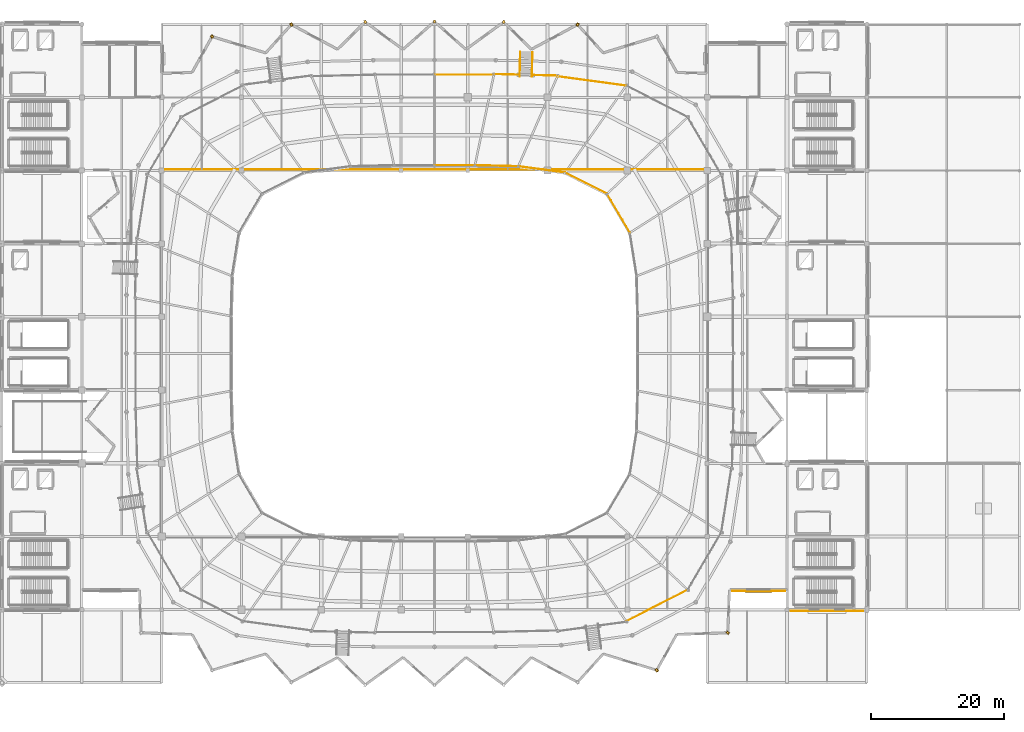
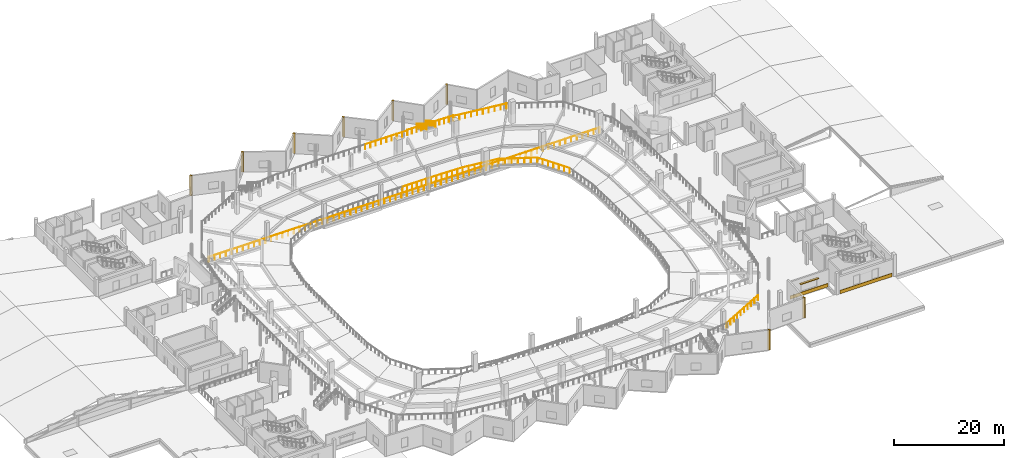
# One storey, part 72 of 77: 15 railings, 11 coverings.
"""IFC4 building model written with IfcOpenShell, lengths in metres."""

from ifc_helpers import new_model, si_unit, direction, frame, origin, origin_2d, place, context, subcontext, project, spatial, rectangle, circle, extrude, material, layer, layer_set, type_object, element, save


model = new_model("IFC4")

# Units and contexts
model_context = context("Model", 3, precision=1e-05, world=origin(), true_north=direction((0.0, 1.0)))
body_context = subcontext(model_context, "Body", "Model", "MODEL_VIEW")
ifc_project = project(units=[si_unit("LENGTHUNIT", "METRE"), si_unit("AREAUNIT", "SQUARE_METRE"), si_unit("VOLUMEUNIT", "CUBIC_METRE"), si_unit("PLANEANGLEUNIT", "RADIAN"), si_unit("MASSUNIT", "GRAM", prefix="KILO")], contexts=[model_context])

# Site, building, storey
site_placement = place(None, origin())
site = spatial("IfcSite", under=ifc_project, at=site_placement, CompositionType="ELEMENT")
building_placement = place(site_placement, origin())
building = spatial("IfcBuilding", under=site, at=building_placement, Name="Luwafu Chhajja Arena", CompositionType="ELEMENT")
storey_placement = place(building_placement, frame((0.0, 0.0, 14.699951171875)))
storey = spatial("IfcBuildingStorey", under=building, at=storey_placement, Name="L03", CompositionType="ELEMENT", Elevation=14.699951171875)

# Railings
ifc_material_1 = material(Name="Stainless steel balustrade", Category="steel")
railing_type_1 = type_object("IfcRailingType", Name="Atrium Void Glazed Balustrade 1150", PredefinedType="BALUSTRADE", material=ifc_material_1)
railing_1_placement = place(storey_placement, frame((111.9033203125, 94.823974609375, 0.0)))
element("IfcRailing", 1, at=railing_1_placement, inside=storey, type_object=railing_type_1, Name="L03 Vomitory VM-10 Guard L", PredefinedType="BALUSTRADE", context=body_context, shape_type="SweptSolid", body=[
    extrude(circle(Radius=0.02392578125, at=origin_2d()), frame((0.0, 0.0, 1.1259765625), z_axis=(-0.020826513934, -0.860318788812, 0.50933077458), x_axis=(0.999707117433, -0.024200813096, 0.0)), (0.0, 0.0, 1.0), 3.985595703125),
    extrude(circle(Radius=0.02392578125, at=origin_2d()), frame((-0.0830078125, -3.428955078125, 3.15576171875), z_axis=(-0.024406789793, -0.999702109937, 0.0), x_axis=(0.999702109937, -0.024406789793, 0.0)), (0.0, 0.0, 1.0), 0.25),
    extrude(circle(Radius=0.02099609375, at=origin_2d()), origin(), (0.0, 0.0, 1.0), 1.101806640625),
    extrude(circle(Radius=0.02099609375, at=origin_2d()), frame((-0.020751953125, -0.857177734375, 0.507568359375)), (0.0, 0.0, 1.0), 1.101806640625),
    extrude(circle(Radius=0.02099609375, at=origin_2d()), frame((-0.04150390625, -1.71435546875, 1.01513671875)), (0.0, 0.0, 1.0), 1.101806640625),
    extrude(circle(Radius=0.02099609375, at=origin_2d()), frame((-0.062255859375, -2.57177734375, 1.5224609375)), (0.0, 0.0, 1.0), 1.101806640625),
    extrude(circle(Radius=0.02099609375, at=origin_2d()), frame((-0.0830078125, -3.428955078125, 2.030029296875)), (0.0, 0.0, 1.0), 1.101806640625),
    extrude(circle(Radius=0.02099609375, at=origin_2d()), frame((-0.089111328125, -3.678955078125, 2.030029296875)), (0.0, 0.0, 1.0), 1.101806640625),
])
railing_2_placement = place(storey_placement, frame((113.74267578125, 94.779541015625, 0.0)))
element("IfcRailing", 2, at=railing_2_placement, inside=storey, type_object=railing_type_1, Name="L03 Vomitory VM-10 Guard R", PredefinedType="BALUSTRADE", context=body_context, shape_type="SweptSolid", body=[
    extrude(circle(Radius=0.02392578125, at=origin_2d()), frame((0.0, 0.0, 1.1259765625), z_axis=(-0.020765285932, -0.860319884723, 0.509331423387), x_axis=(0.999708836986, -0.024129675738, 0.0)), (0.0, 0.0, 1.0), 3.985595703125),
    extrude(circle(Radius=0.02392578125, at=origin_2d()), frame((-0.082763671875, -3.428955078125, 3.15576171875), z_axis=(-0.024406789793, -0.999702109937, 0.0), x_axis=(0.999702109937, -0.024406789793, 0.0)), (0.0, 0.0, 1.0), 0.25),
    extrude(circle(Radius=0.02099609375, at=origin_2d()), origin(), (0.0, 0.0, 1.0), 1.101806640625),
    extrude(circle(Radius=0.02099609375, at=origin_2d()), frame((-0.020751953125, -0.857177734375, 0.507568359375)), (0.0, 0.0, 1.0), 1.101806640625),
    extrude(circle(Radius=0.02099609375, at=origin_2d()), frame((-0.04150390625, -1.71435546875, 1.01513671875)), (0.0, 0.0, 1.0), 1.101806640625),
    extrude(circle(Radius=0.02099609375, at=origin_2d()), frame((-0.06201171875, -2.57177734375, 1.5224609375)), (0.0, 0.0, 1.0), 1.101806640625),
    extrude(circle(Radius=0.02099609375, at=origin_2d()), frame((-0.082763671875, -3.428955078125, 2.030029296875)), (0.0, 0.0, 1.0), 1.101806640625),
    extrude(circle(Radius=0.02099609375, at=origin_2d()), frame((-0.0888671875, -3.678955078125, 2.030029296875)), (0.0, 0.0, 1.0), 1.101806640625),
])
for number, where, name in (
    (3, (107.948486328125, 91.48876953125, 2.030029296875), "L03 Vomitory VM-10 Wing Guard L"),
    (4, (113.659912109375, 91.3505859375, 2.030029296875), "L03 Vomitory VM-10 Wing Guard R"),
):
    element("IfcRailing", number, at=place(storey_placement, frame(where)), inside=storey, type_object=railing_type_1, Name=name, PredefinedType="BALUSTRADE", context=body_context, shape_type="SweptSolid", body=[
        extrude(circle(Radius=0.02392578125, at=origin_2d()), frame((0.0, 0.0, 1.1259765625), z_axis=(0.999706984942, -0.02420628553, 0.0), x_axis=(0.02420628553, 0.999706984942, 0.0)), (0.0, 0.0, 1.0), 3.873046875),
        extrude(circle(Radius=0.02099609375, at=origin_2d()), origin(), (0.0, 0.0, 1.0), 1.101806640625),
        extrude(circle(Radius=0.02099609375, at=origin_2d()), frame((0.968017578125, -0.0234375, 0.0)), (0.0, 0.0, 1.0), 1.101806640625),
        extrude(circle(Radius=0.02099609375, at=origin_2d()), frame((1.93603515625, -0.046875, 0.0)), (0.0, 0.0, 1.0), 1.101806640625),
        extrude(circle(Radius=0.02099609375, at=origin_2d()), frame((2.90380859375, -0.0703125, 0.0)), (0.0, 0.0, 1.0), 1.101806640625),
        extrude(circle(Radius=0.02099609375, at=origin_2d()), frame((3.871826171875, -0.09375, 0.0)), (0.0, 0.0, 1.0), 1.101806640625),
    ])

# Coverings
ifc_material_2 = material(Name="Red laterite sandstone cladding", Category="masonry")
ifc_layer = layer(ifc_material_2, 0.074951171875, Name="Red laterite sandstone cladding")
ifc_layer_set = layer_set([ifc_layer], Name="Red laterite sandstone cladding")
covering_type = type_object("IfcCoveringType", Name="Dressed Red-Laterite Sandstone Cladding", PredefinedType="CLADDING", material=ifc_layer_set)
for number, where, z_axis, x_axis, name in (
    (5, (120.510986328125, 98.948974609375, 0.0), (0.0, 0.0, 1.0), (0.398902881432, 0.916993179465, 0.0), "L03 Pleated Bowl Sandstone Ridge Fin 07"),
    (6, (109.412109375, 99.3427734375, 0.0), (0.0, 0.0, 1.0), (0.20448508974, 0.9788696788, 0.0), "L03 Pleated Bowl Sandstone Ridge Fin 08"),
    (7, (99.0, 99.39990234375, 0.0), (0.0, 0.0, 1.0), (0.0, 1.0, 0.0), "L03 Pleated Bowl Sandstone Ridge Fin 09"),
    (8, (88.587890625, 99.3427734375, 0.0), (0.0, 0.0, 1.0), (-0.20448508974, 0.9788696788, 0.0), "L03 Pleated Bowl Sandstone Ridge Fin 10"),
    (9, (77.489013671875, 98.948974609375, 0.0), (0.0, 0.0, 1.0), (-0.398902881432, 0.916993179465, 0.0), "L03 Pleated Bowl Sandstone Ridge Fin 11"),
    (10, (65.572509765625, 97.135986328125, 0.0), (0.0, 0.0, 1.0), (-0.574411104334, 0.818566969293, 0.0), "L03 Pleated Bowl Sandstone Ridge Fin 12"),
    (11, (132.427490234375, 1.864013671875, 0.0), (0.0, 0.0, 1.0), (0.574411104334, -0.818566969293, 0.0), "L03 Pleated Bowl Sandstone Ridge Fin 28"),
    (12, (143.08349609375, 7.52392578125, 0.0), (0.0, 0.0, 1.0), (0.724206686844, -0.689582971607, 0.0), "L03 Pleated Bowl Sandstone Ridge Fin 29"),
):
    element("IfcCovering", number, at=place(storey_placement, frame(where, z_axis=z_axis, x_axis=x_axis)), inside=storey, type_object=covering_type, Name=name, PredefinedType="CLADDING", context=body_context, shape_type="SweptSolid", body=[
        extrude(rectangle(XDim=0.4599609375, YDim=0.360107421875, at=origin_2d()), origin(), (0.0, 0.0, 1.0), 4.455078125),
    ])
covering_1_placement = place(storey_placement, frame((147.712890625, 13.80810546875, 0.0), z_axis=(0.0, 0.0, 1.0), x_axis=(1.0, 0.0, 0.0)))
element("IfcCovering", 13, at=covering_1_placement, inside=storey, type_object=covering_type, Name="L03 Red-Laterite Sandstone Plinth Cladding 089", PredefinedType="CLADDING", context=body_context, shape_type="SweptSolid", body=[
    extrude(rectangle(XDim=7.97412109375, YDim=0.0849609375, at=origin_2d()), origin(), (0.0, 0.0, 1.0), 0.760009765625),
])
covering_2_placement = place(storey_placement, frame((147.712890625, 13.679931640625, 2.68017578125), z_axis=(0.0, 0.0, 1.0), x_axis=(1.0, 0.0, 0.0)))
element("IfcCovering", 14, at=covering_2_placement, inside=storey, type_object=covering_type, Name="L03 Mughal Sandstone Window Chhajja Hood 0083", PredefinedType="CLADDING", context=body_context, shape_type="SweptSolid", body=[
    extrude(rectangle(XDim=3.89990234375, YDim=0.419921875, at=origin_2d()), origin(), (0.0, 0.0, 1.0), 0.139892578125),
])
covering_3_placement = place(storey_placement, frame((158.0, 10.76806640625, 0.0), z_axis=(0.0, 0.0, 1.0), x_axis=(1.0, 0.0, 0.0)))
element("IfcCovering", 15, at=covering_3_placement, inside=storey, type_object=covering_type, Name="L03 Red-Laterite Sandstone Plinth Cladding 092", PredefinedType="CLADDING", context=body_context, shape_type="SweptSolid", body=[
    extrude(rectangle(XDim=10.9599609375, YDim=0.0849609375, at=origin_2d()), origin(), (0.0, 0.0, 1.0), 0.760009765625),
])

# Railings
railing_type_2 = type_object("IfcRailingType", Name="Seating Bowl Sightline Barrier 1100", PredefinedType="BALUSTRADE", material=ifc_material_1)
railing_3_placement = place(storey_placement, frame((140.14990234375, 77.14990234375, 0.0)))
element("IfcRailing", 16, at=railing_3_placement, inside=storey, type_object=railing_type_2, Name="L03 Bowl Rim Guard 0038", PredefinedType="BALUSTRADE", context=body_context, shape_type="SweptSolid", body=[
    extrude(circle(Radius=0.02392578125, at=origin_2d()), frame((0.0, 0.0, 1.09619140625), z_axis=(-1.0, 0.0, 0.0), x_axis=(0.0, -1.0, 0.0)), (0.0, 0.0, 1.0), 82.2998046875),
    extrude(circle(Radius=0.02099609375, at=origin_2d()), origin(), (0.0, 0.0, 1.0), 1.072021484375),
    extrude(circle(Radius=0.02099609375, at=origin_2d()), frame((-1.19287109375, 0.0, 0.0)), (0.0, 0.0, 1.0), 1.072021484375),
    extrude(circle(Radius=0.02099609375, at=origin_2d()), frame((-2.385498046875, 0.0, 0.0)), (0.0, 0.0, 1.0), 1.072021484375),
    extrude(circle(Radius=0.02099609375, at=origin_2d()), frame((-3.578369140625, 0.0, 0.0)), (0.0, 0.0, 1.0), 1.072021484375),
    extrude(circle(Radius=0.02099609375, at=origin_2d()), frame((-4.77099609375, 0.0, 0.0)), (0.0, 0.0, 1.0), 1.072021484375),
    extrude(circle(Radius=0.02099609375, at=origin_2d()), frame((-5.9638671875, 0.0, 0.0)), (0.0, 0.0, 1.0), 1.072021484375),
    extrude(circle(Radius=0.02099609375, at=origin_2d()), frame((-7.156494140625, 0.0, 0.0)), (0.0, 0.0, 1.0), 1.072021484375),
    extrude(circle(Radius=0.02099609375, at=origin_2d()), frame((-8.349365234375, 0.0, 0.0)), (0.0, 0.0, 1.0), 1.072021484375),
    extrude(circle(Radius=0.02099609375, at=origin_2d()), frame((-9.5419921875, 0.0, 0.0)), (0.0, 0.0, 1.0), 1.072021484375),
    extrude(circle(Radius=0.02099609375, at=origin_2d()), frame((-10.73486328125, 0.0, 0.0)), (0.0, 0.0, 1.0), 1.072021484375),
    extrude(circle(Radius=0.02099609375, at=origin_2d()), frame((-11.927490234375, 0.0, 0.0)), (0.0, 0.0, 1.0), 1.072021484375),
    extrude(circle(Radius=0.02099609375, at=origin_2d()), frame((-13.120361328125, 0.0, 0.0)), (0.0, 0.0, 1.0), 1.072021484375),
    extrude(circle(Radius=0.02099609375, at=origin_2d()), frame((-14.31298828125, 0.0, 0.0)), (0.0, 0.0, 1.0), 1.072021484375),
    extrude(circle(Radius=0.02099609375, at=origin_2d()), frame((-15.505859375, 0.0, 0.0)), (0.0, 0.0, 1.0), 1.072021484375),
    extrude(circle(Radius=0.02099609375, at=origin_2d()), frame((-16.698486328125, 0.0, 0.0)), (0.0, 0.0, 1.0), 1.072021484375),
    extrude(circle(Radius=0.02099609375, at=origin_2d()), frame((-17.891357421875, 0.0, 0.0)), (0.0, 0.0, 1.0), 1.072021484375),
    extrude(circle(Radius=0.02099609375, at=origin_2d()), frame((-19.083984375, 0.0, 0.0)), (0.0, 0.0, 1.0), 1.072021484375),
    extrude(circle(Radius=0.02099609375, at=origin_2d()), frame((-20.27685546875, 0.0, 0.0)), (0.0, 0.0, 1.0), 1.072021484375),
    extrude(circle(Radius=0.02099609375, at=origin_2d()), frame((-21.469482421875, 0.0, 0.0)), (0.0, 0.0, 1.0), 1.072021484375),
    extrude(circle(Radius=0.02099609375, at=origin_2d()), frame((-22.662353515625, 0.0, 0.0)), (0.0, 0.0, 1.0), 1.072021484375),
    extrude(circle(Radius=0.02099609375, at=origin_2d()), frame((-23.85498046875, 0.0, 0.0)), (0.0, 0.0, 1.0), 1.072021484375),
    extrude(circle(Radius=0.02099609375, at=origin_2d()), frame((-25.0478515625, 0.0, 0.0)), (0.0, 0.0, 1.0), 1.072021484375),
    extrude(circle(Radius=0.02099609375, at=origin_2d()), frame((-26.240478515625, 0.0, 0.0)), (0.0, 0.0, 1.0), 1.072021484375),
    extrude(circle(Radius=0.02099609375, at=origin_2d()), frame((-27.433349609375, 0.0, 0.0)), (0.0, 0.0, 1.0), 1.072021484375),
    extrude(circle(Radius=0.02099609375, at=origin_2d()), frame((-28.6259765625, 0.0, 0.0)), (0.0, 0.0, 1.0), 1.072021484375),
    extrude(circle(Radius=0.02099609375, at=origin_2d()), frame((-29.81884765625, 0.0, 0.0)), (0.0, 0.0, 1.0), 1.072021484375),
    extrude(circle(Radius=0.02099609375, at=origin_2d()), frame((-31.011474609375, 0.0, 0.0)), (0.0, 0.0, 1.0), 1.072021484375),
    extrude(circle(Radius=0.02099609375, at=origin_2d()), frame((-32.204345703125, 0.0, 0.0)), (0.0, 0.0, 1.0), 1.072021484375),
    extrude(circle(Radius=0.02099609375, at=origin_2d()), frame((-33.39697265625, 0.0, 0.0)), (0.0, 0.0, 1.0), 1.072021484375),
    extrude(circle(Radius=0.02099609375, at=origin_2d()), frame((-34.58984375, 0.0, 0.0)), (0.0, 0.0, 1.0), 1.072021484375),
    extrude(circle(Radius=0.02099609375, at=origin_2d()), frame((-35.782470703125, 0.0, 0.0)), (0.0, 0.0, 1.0), 1.072021484375),
    extrude(circle(Radius=0.02099609375, at=origin_2d()), frame((-36.975341796875, 0.0, 0.0)), (0.0, 0.0, 1.0), 1.072021484375),
    extrude(circle(Radius=0.02099609375, at=origin_2d()), frame((-38.16796875, 0.0, 0.0)), (0.0, 0.0, 1.0), 1.072021484375),
    extrude(circle(Radius=0.02099609375, at=origin_2d()), frame((-39.36083984375, 0.0, 0.0)), (0.0, 0.0, 1.0), 1.072021484375),
    extrude(circle(Radius=0.02099609375, at=origin_2d()), frame((-40.553466796875, 0.0, 0.0)), (0.0, 0.0, 1.0), 1.072021484375),
    extrude(circle(Radius=0.02099609375, at=origin_2d()), frame((-41.746337890625, 0.0, 0.0)), (0.0, 0.0, 1.0), 1.072021484375),
    extrude(circle(Radius=0.02099609375, at=origin_2d()), frame((-42.93896484375, 0.0, 0.0)), (0.0, 0.0, 1.0), 1.072021484375),
    extrude(circle(Radius=0.02099609375, at=origin_2d()), frame((-44.1318359375, 0.0, 0.0)), (0.0, 0.0, 1.0), 1.072021484375),
    extrude(circle(Radius=0.02099609375, at=origin_2d()), frame((-45.324462890625, 0.0, 0.0)), (0.0, 0.0, 1.0), 1.072021484375),
    extrude(circle(Radius=0.02099609375, at=origin_2d()), frame((-46.517333984375, 0.0, 0.0)), (0.0, 0.0, 1.0), 1.072021484375),
    extrude(circle(Radius=0.02099609375, at=origin_2d()), frame((-47.7099609375, 0.0, 0.0)), (0.0, 0.0, 1.0), 1.072021484375),
    extrude(circle(Radius=0.02099609375, at=origin_2d()), frame((-48.90283203125, 0.0, 0.0)), (0.0, 0.0, 1.0), 1.072021484375),
    extrude(circle(Radius=0.02099609375, at=origin_2d()), frame((-50.095458984375, 0.0, 0.0)), (0.0, 0.0, 1.0), 1.072021484375),
    extrude(circle(Radius=0.02099609375, at=origin_2d()), frame((-51.288330078125, 0.0, 0.0)), (0.0, 0.0, 1.0), 1.072021484375),
    extrude(circle(Radius=0.02099609375, at=origin_2d()), frame((-52.48095703125, 0.0, 0.0)), (0.0, 0.0, 1.0), 1.072021484375),
    extrude(circle(Radius=0.02099609375, at=origin_2d()), frame((-53.673828125, 0.0, 0.0)), (0.0, 0.0, 1.0), 1.072021484375),
    extrude(circle(Radius=0.02099609375, at=origin_2d()), frame((-54.866455078125, 0.0, 0.0)), (0.0, 0.0, 1.0), 1.072021484375),
    extrude(circle(Radius=0.02099609375, at=origin_2d()), frame((-56.059326171875, 0.0, 0.0)), (0.0, 0.0, 1.0), 1.072021484375),
    extrude(circle(Radius=0.02099609375, at=origin_2d()), frame((-57.251953125, 0.0, 0.0)), (0.0, 0.0, 1.0), 1.072021484375),
    extrude(circle(Radius=0.02099609375, at=origin_2d()), frame((-58.44482421875, 0.0, 0.0)), (0.0, 0.0, 1.0), 1.072021484375),
    extrude(circle(Radius=0.02099609375, at=origin_2d()), frame((-59.637451171875, 0.0, 0.0)), (0.0, 0.0, 1.0), 1.072021484375),
    extrude(circle(Radius=0.02099609375, at=origin_2d()), frame((-60.830322265625, 0.0, 0.0)), (0.0, 0.0, 1.0), 1.072021484375),
    extrude(circle(Radius=0.02099609375, at=origin_2d()), frame((-62.02294921875, 0.0, 0.0)), (0.0, 0.0, 1.0), 1.072021484375),
    extrude(circle(Radius=0.02099609375, at=origin_2d()), frame((-63.2158203125, 0.0, 0.0)), (0.0, 0.0, 1.0), 1.072021484375),
    extrude(circle(Radius=0.02099609375, at=origin_2d()), frame((-64.408447265625, 0.0, 0.0)), (0.0, 0.0, 1.0), 1.072021484375),
    extrude(circle(Radius=0.02099609375, at=origin_2d()), frame((-65.601318359375, 0.0, 0.0)), (0.0, 0.0, 1.0), 1.072021484375),
    extrude(circle(Radius=0.02099609375, at=origin_2d()), frame((-66.7939453125, 0.0, 0.0)), (0.0, 0.0, 1.0), 1.072021484375),
    extrude(circle(Radius=0.02099609375, at=origin_2d()), frame((-67.98681640625, 0.0, 0.0)), (0.0, 0.0, 1.0), 1.072021484375),
    extrude(circle(Radius=0.02099609375, at=origin_2d()), frame((-69.179443359375, 0.0, 0.0)), (0.0, 0.0, 1.0), 1.072021484375),
    extrude(circle(Radius=0.02099609375, at=origin_2d()), frame((-70.372314453125, 0.0, 0.0)), (0.0, 0.0, 1.0), 1.072021484375),
    extrude(circle(Radius=0.02099609375, at=origin_2d()), frame((-71.56494140625, 0.0, 0.0)), (0.0, 0.0, 1.0), 1.072021484375),
    extrude(circle(Radius=0.02099609375, at=origin_2d()), frame((-72.7578125, 0.0, 0.0)), (0.0, 0.0, 1.0), 1.072021484375),
    extrude(circle(Radius=0.02099609375, at=origin_2d()), frame((-73.950439453125, 0.0, 0.0)), (0.0, 0.0, 1.0), 1.072021484375),
    extrude(circle(Radius=0.02099609375, at=origin_2d()), frame((-75.143310546875, 0.0, 0.0)), (0.0, 0.0, 1.0), 1.072021484375),
    extrude(circle(Radius=0.02099609375, at=origin_2d()), frame((-76.3359375, 0.0, 0.0)), (0.0, 0.0, 1.0), 1.072021484375),
    extrude(circle(Radius=0.02099609375, at=origin_2d()), frame((-77.52880859375, 0.0, 0.0)), (0.0, 0.0, 1.0), 1.072021484375),
    extrude(circle(Radius=0.02099609375, at=origin_2d()), frame((-78.721435546875, 0.0, 0.0)), (0.0, 0.0, 1.0), 1.072021484375),
    extrude(circle(Radius=0.02099609375, at=origin_2d()), frame((-79.914306640625, 0.0, 0.0)), (0.0, 0.0, 1.0), 1.072021484375),
    extrude(circle(Radius=0.02099609375, at=origin_2d()), frame((-81.10693359375, 0.0, 0.0)), (0.0, 0.0, 1.0), 1.072021484375),
    extrude(circle(Radius=0.02099609375, at=origin_2d()), frame((-82.2998046875, 0.0, 0.0)), (0.0, 0.0, 1.0), 1.072021484375),
])
railing_4_placement = place(storey_placement, frame((128.39453125, 67.66455078125, 0.830078125)))
element("IfcRailing", 17, at=railing_4_placement, inside=storey, type_object=railing_type_2, Name="L03 Upper Tier Front Barrier 0059", PredefinedType="BALUSTRADE", context=body_context, shape_type="SweptSolid", body=[
    extrude(circle(Radius=0.02392578125, at=origin_2d()), frame((0.0, 0.0, 1.09619140625), z_axis=(-0.509265878508, 0.860609240589, 0.0), x_axis=(-0.860609240589, -0.509265878508, 0.0)), (0.0, 0.0, 1.0), 6.7744140625),
    extrude(circle(Radius=0.02099609375, at=origin_2d()), origin(), (0.0, 0.0, 1.0), 1.072021484375),
    extrude(circle(Radius=0.02099609375, at=origin_2d()), frame((-0.574951171875, 0.9716796875, 0.0)), (0.0, 0.0, 1.0), 1.072021484375),
    extrude(circle(Radius=0.02099609375, at=origin_2d()), frame((-1.14990234375, 1.943359375, 0.0)), (0.0, 0.0, 1.0), 1.072021484375),
    extrude(circle(Radius=0.02099609375, at=origin_2d()), frame((-1.72509765625, 2.9150390625, 0.0)), (0.0, 0.0, 1.0), 1.072021484375),
    extrude(circle(Radius=0.02099609375, at=origin_2d()), frame((-2.300048828125, 3.88671875, 0.0)), (0.0, 0.0, 1.0), 1.072021484375),
    extrude(circle(Radius=0.02099609375, at=origin_2d()), frame((-2.875, 4.8583984375, 0.0)), (0.0, 0.0, 1.0), 1.072021484375),
    extrude(circle(Radius=0.02099609375, at=origin_2d()), frame((-3.449951171875, 5.830078125, 0.0)), (0.0, 0.0, 1.0), 1.072021484375),
])
railing_5_placement = place(storey_placement, frame((124.944580078125, 73.49462890625, 0.830078125)))
element("IfcRailing", 18, at=railing_5_placement, inside=storey, type_object=railing_type_2, Name="L03 Upper Tier Front Barrier 0063", PredefinedType="BALUSTRADE", context=body_context, shape_type="SweptSolid", body=[
    extrude(circle(Radius=0.02392578125, at=origin_2d()), frame((0.0, 0.0, 1.09619140625), z_axis=(-0.892232594826, 0.451576125066, 0.0), x_axis=(-0.451576125066, -0.892232594826, 0.0)), (0.0, 0.0, 1.0), 7.065185546875),
    extrude(circle(Radius=0.02099609375, at=origin_2d()), origin(), (0.0, 0.0, 1.0), 1.072021484375),
    extrude(circle(Radius=0.02099609375, at=origin_2d()), frame((-1.050537109375, 0.53173828125, 0.0)), (0.0, 0.0, 1.0), 1.072021484375),
    extrude(circle(Radius=0.02099609375, at=origin_2d()), frame((-2.101318359375, 1.0634765625, 0.0)), (0.0, 0.0, 1.0), 1.072021484375),
    extrude(circle(Radius=0.02099609375, at=origin_2d()), frame((-3.15185546875, 1.59521484375, 0.0)), (0.0, 0.0, 1.0), 1.072021484375),
    extrude(circle(Radius=0.02099609375, at=origin_2d()), frame((-4.202392578125, 2.126953125, 0.0)), (0.0, 0.0, 1.0), 1.072021484375),
    extrude(circle(Radius=0.02099609375, at=origin_2d()), frame((-5.253173828125, 2.65869140625, 0.0)), (0.0, 0.0, 1.0), 1.072021484375),
    extrude(circle(Radius=0.02099609375, at=origin_2d()), frame((-6.3037109375, 3.1904296875, 0.0)), (0.0, 0.0, 1.0), 1.072021484375),
])
railing_6_placement = place(storey_placement, frame((118.640869140625, 76.68505859375, 0.830078125)))
element("IfcRailing", 19, at=railing_6_placement, inside=storey, type_object=railing_type_2, Name="L03 Upper Tier Front Barrier 0067", PredefinedType="BALUSTRADE", context=body_context, shape_type="SweptSolid", body=[
    extrude(circle(Radius=0.02392578125, at=origin_2d()), frame((0.0, 0.0, 1.09619140625), z_axis=(-0.990994032964, 0.13390603657, 0.0), x_axis=(-0.13390603657, -0.990994032964, 0.0)), (0.0, 0.0, 1.0), 7.103271484375),
    extrude(circle(Radius=0.02099609375, at=origin_2d()), origin(), (0.0, 0.0, 1.0), 1.072021484375),
    extrude(circle(Radius=0.02099609375, at=origin_2d()), frame((-1.17333984375, 0.158447265625, 0.0)), (0.0, 0.0, 1.0), 1.072021484375),
    extrude(circle(Radius=0.02099609375, at=origin_2d()), frame((-2.346435546875, 0.317138671875, 0.0)), (0.0, 0.0, 1.0), 1.072021484375),
    extrude(circle(Radius=0.02099609375, at=origin_2d()), frame((-3.51953125, 0.4755859375, 0.0)), (0.0, 0.0, 1.0), 1.072021484375),
    extrude(circle(Radius=0.02099609375, at=origin_2d()), frame((-4.69287109375, 0.634033203125, 0.0)), (0.0, 0.0, 1.0), 1.072021484375),
    extrude(circle(Radius=0.02099609375, at=origin_2d()), frame((-5.8662109375, 0.792724609375, 0.0)), (0.0, 0.0, 1.0), 1.072021484375),
    extrude(circle(Radius=0.02099609375, at=origin_2d()), frame((-7.039306640625, 0.951171875, 0.0)), (0.0, 0.0, 1.0), 1.072021484375),
])
railing_7_placement = place(storey_placement, frame((127.8193359375, 89.74951171875, 2.030029296875)))
element("IfcRailing", 20, at=railing_7_placement, inside=storey, type_object=railing_type_2, Name="L03 Upper Tier Rear Barrier 0069", PredefinedType="BALUSTRADE", context=body_context, shape_type="SweptSolid", body=[
    extrude(circle(Radius=0.02392578125, at=origin_2d()), frame((0.0, 0.0, 1.09619140625), z_axis=(-0.990836865089, 0.135064083981, 0.0), x_axis=(-0.135064083981, -0.990836865089, 0.0)), (0.0, 0.0, 1.0), 10.42431640625),
    extrude(circle(Radius=0.02099609375, at=origin_2d()), origin(), (0.0, 0.0, 1.0), 1.072021484375),
    extrude(circle(Radius=0.02099609375, at=origin_2d()), frame((-1.147705078125, 0.156494140625, 0.0)), (0.0, 0.0, 1.0), 1.072021484375),
    extrude(circle(Radius=0.02099609375, at=origin_2d()), frame((-2.29541015625, 0.31298828125, 0.0)), (0.0, 0.0, 1.0), 1.072021484375),
    extrude(circle(Radius=0.02099609375, at=origin_2d()), frame((-3.44287109375, 0.46923828125, 0.0)), (0.0, 0.0, 1.0), 1.072021484375),
    extrude(circle(Radius=0.02099609375, at=origin_2d()), frame((-4.590576171875, 0.625732421875, 0.0)), (0.0, 0.0, 1.0), 1.072021484375),
    extrude(circle(Radius=0.02099609375, at=origin_2d()), frame((-5.73828125, 0.7822265625, 0.0)), (0.0, 0.0, 1.0), 1.072021484375),
    extrude(circle(Radius=0.02099609375, at=origin_2d()), frame((-6.885986328125, 0.938720703125, 0.0)), (0.0, 0.0, 1.0), 1.072021484375),
    extrude(circle(Radius=0.02099609375, at=origin_2d()), frame((-8.033447265625, 1.094970703125, 0.0)), (0.0, 0.0, 1.0), 1.072021484375),
    extrude(circle(Radius=0.02099609375, at=origin_2d()), frame((-9.18115234375, 1.25146484375, 0.0)), (0.0, 0.0, 1.0), 1.072021484375),
    extrude(circle(Radius=0.02099609375, at=origin_2d()), frame((-10.328857421875, 1.407958984375, 0.0)), (0.0, 0.0, 1.0), 1.072021484375),
])
railing_8_placement = place(storey_placement, frame((111.6015625, 77.63623046875, 0.830078125)))
element("IfcRailing", 21, at=railing_8_placement, inside=storey, type_object=railing_type_2, Name="L03 Upper Tier Front Barrier 0071", PredefinedType="BALUSTRADE", context=body_context, shape_type="SweptSolid", body=[
    extrude(circle(Radius=0.02392578125, at=origin_2d()), frame((0.0, 0.0, 1.09619140625), z_axis=(-0.999712648785, 0.023971229824, 0.0), x_axis=(-0.023971229824, -0.999712648785, 0.0)), (0.0, 0.0, 1.0), 6.518310546875),
    extrude(circle(Radius=0.02099609375, at=origin_2d()), origin(), (0.0, 0.0, 1.0), 1.072021484375),
    extrude(circle(Radius=0.02099609375, at=origin_2d()), frame((-1.0859375, 0.026123046875, 0.0)), (0.0, 0.0, 1.0), 1.072021484375),
    extrude(circle(Radius=0.02099609375, at=origin_2d()), frame((-2.172119140625, 0.052001953125, 0.0)), (0.0, 0.0, 1.0), 1.072021484375),
    extrude(circle(Radius=0.02099609375, at=origin_2d()), frame((-3.25830078125, 0.078125, 0.0)), (0.0, 0.0, 1.0), 1.072021484375),
    extrude(circle(Radius=0.02099609375, at=origin_2d()), frame((-4.34423828125, 0.104248046875, 0.0)), (0.0, 0.0, 1.0), 1.072021484375),
    extrude(circle(Radius=0.02099609375, at=origin_2d()), frame((-5.43017578125, 0.130126953125, 0.0)), (0.0, 0.0, 1.0), 1.072021484375),
    extrude(circle(Radius=0.02099609375, at=origin_2d()), frame((-6.516357421875, 0.15625, 0.0)), (0.0, 0.0, 1.0), 1.072021484375),
])
railing_9_placement = place(storey_placement, frame((105.085205078125, 77.79248046875, 0.830078125)))
element("IfcRailing", 22, at=railing_9_placement, inside=storey, type_object=railing_type_2, Name="L03 Upper Tier Front Barrier 0073", PredefinedType="BALUSTRADE", context=body_context, shape_type="SweptSolid", body=[
    extrude(circle(Radius=0.02392578125, at=origin_2d()), frame((0.0, 0.0, 1.09619140625), z_axis=(-0.999999226567, 0.001243730232, 0.0), x_axis=(-0.001243730232, -0.999999226567, 0.0)), (0.0, 0.0, 1.0), 6.085205078125),
    extrude(circle(Radius=0.02099609375, at=origin_2d()), origin(), (0.0, 0.0, 1.0), 1.072021484375),
    extrude(circle(Radius=0.02099609375, at=origin_2d()), frame((-1.01416015625, 0.001220703125, 0.0)), (0.0, 0.0, 1.0), 1.072021484375),
    extrude(circle(Radius=0.02099609375, at=origin_2d()), frame((-2.0283203125, 0.00244140625, 0.0)), (0.0, 0.0, 1.0), 1.072021484375),
    extrude(circle(Radius=0.02099609375, at=origin_2d()), frame((-3.04248046875, 0.00390625, 0.0)), (0.0, 0.0, 1.0), 1.072021484375),
    extrude(circle(Radius=0.02099609375, at=origin_2d()), frame((-4.056884765625, 0.005126953125, 0.0)), (0.0, 0.0, 1.0), 1.072021484375),
    extrude(circle(Radius=0.02099609375, at=origin_2d()), frame((-5.071044921875, 0.00634765625, 0.0)), (0.0, 0.0, 1.0), 1.072021484375),
    extrude(circle(Radius=0.02099609375, at=origin_2d()), frame((-6.085205078125, 0.007568359375, 0.0)), (0.0, 0.0, 1.0), 1.072021484375),
])
railing_10_placement = place(storey_placement, frame((107.9287109375, 91.388671875, 2.030029296875)))
element("IfcRailing", 23, at=railing_10_placement, inside=storey, type_object=railing_type_2, Name="L03 Upper Tier Rear Barrier 0075", PredefinedType="BALUSTRADE", context=body_context, shape_type="SweptSolid", body=[
    extrude(circle(Radius=0.02392578125, at=origin_2d()), frame((0.0, 0.0, 1.09619140625), z_axis=(-0.99999920898, 0.001257791852, 0.0), x_axis=(-0.001257791852, -0.99999920898, 0.0)), (0.0, 0.0, 1.0), 8.9287109375),
    extrude(circle(Radius=0.02099609375, at=origin_2d()), origin(), (0.0, 0.0, 1.0), 1.072021484375),
    extrude(circle(Radius=0.02099609375, at=origin_2d()), frame((-1.1162109375, 0.00146484375, 0.0)), (0.0, 0.0, 1.0), 1.072021484375),
    extrude(circle(Radius=0.02099609375, at=origin_2d()), frame((-2.232177734375, 0.0029296875, 0.0)), (0.0, 0.0, 1.0), 1.072021484375),
    extrude(circle(Radius=0.02099609375, at=origin_2d()), frame((-3.34814453125, 0.004150390625, 0.0)), (0.0, 0.0, 1.0), 1.072021484375),
    extrude(circle(Radius=0.02099609375, at=origin_2d()), frame((-4.46435546875, 0.005615234375, 0.0)), (0.0, 0.0, 1.0), 1.072021484375),
    extrude(circle(Radius=0.02099609375, at=origin_2d()), frame((-5.58056640625, 0.007080078125, 0.0)), (0.0, 0.0, 1.0), 1.072021484375),
    extrude(circle(Radius=0.02099609375, at=origin_2d()), frame((-6.696533203125, 0.00830078125, 0.0)), (0.0, 0.0, 1.0), 1.072021484375),
    extrude(circle(Radius=0.02099609375, at=origin_2d()), frame((-7.8125, 0.009765625, 0.0)), (0.0, 0.0, 1.0), 1.072021484375),
    extrude(circle(Radius=0.02099609375, at=origin_2d()), frame((-8.9287109375, 0.01123046875, 0.0)), (0.0, 0.0, 1.0), 1.072021484375),
])
railing_11_placement = place(storey_placement, frame((127.8193359375, 9.25048828125, 2.030029296875)))
element("IfcRailing", 24, at=railing_11_placement, inside=storey, type_object=railing_type_2, Name="L03 Upper Tier Rear Barrier 0145", PredefinedType="BALUSTRADE", context=body_context, shape_type="SweptSolid", body=[
    extrude(circle(Radius=0.02392578125, at=origin_2d()), frame((0.0, 0.0, 1.09619140625), z_axis=(0.890572447009, 0.45484141921, 0.0), x_axis=(-0.45484141921, 0.890572447009, 0.0)), (0.0, 0.0, 1.0), 10.38623046875),
    extrude(circle(Radius=0.02099609375, at=origin_2d()), origin(), (0.0, 0.0, 1.0), 1.072021484375),
    extrude(circle(Radius=0.02099609375, at=origin_2d()), frame((1.02783203125, 0.52490234375, 0.0)), (0.0, 0.0, 1.0), 1.072021484375),
    extrude(circle(Radius=0.02099609375, at=origin_2d()), frame((2.055419921875, 1.0498046875, 0.0)), (0.0, 0.0, 1.0), 1.072021484375),
    extrude(circle(Radius=0.02099609375, at=origin_2d()), frame((3.083251953125, 1.57470703125, 0.0)), (0.0, 0.0, 1.0), 1.072021484375),
    extrude(circle(Radius=0.02099609375, at=origin_2d()), frame((4.111083984375, 2.099609375, 0.0)), (0.0, 0.0, 1.0), 1.072021484375),
    extrude(circle(Radius=0.02099609375, at=origin_2d()), frame((5.138671875, 2.62451171875, 0.0)), (0.0, 0.0, 1.0), 1.072021484375),
    extrude(circle(Radius=0.02099609375, at=origin_2d()), frame((6.16650390625, 3.1494140625, 0.0)), (0.0, 0.0, 1.0), 1.072021484375),
    extrude(circle(Radius=0.02099609375, at=origin_2d()), frame((7.1943359375, 3.67431640625, 0.0)), (0.0, 0.0, 1.0), 1.072021484375),
    extrude(circle(Radius=0.02099609375, at=origin_2d()), frame((8.221923828125, 4.19921875, 0.0)), (0.0, 0.0, 1.0), 1.072021484375),
    extrude(circle(Radius=0.02099609375, at=origin_2d()), frame((9.249755859375, 4.72412109375, 0.0)), (0.0, 0.0, 1.0), 1.072021484375),
])
ifc_material_3 = material(Name="Stainless steel handrail", Category="steel")
railing_type_3 = type_object("IfcRailingType", Name="Stair Pitch Wall Handrail 920", PredefinedType="HANDRAIL", material=ifc_material_3)
railing_12_placement = place(storey_placement, frame((111.9033203125, 94.823974609375, 0.0)))
element("IfcRailing", 25, at=railing_12_placement, inside=storey, type_object=railing_type_3, Name="L03 Vomitory VM-10 Handrail L", PredefinedType="HANDRAIL", context=body_context, shape_type="SweptSolid", body=[
    extrude(circle(Radius=0.02392578125, at=origin_2d()), frame((0.0, 0.0, 0.89599609375), z_axis=(-0.020826513934, -0.860318788812, 0.50933077458), x_axis=(0.999707117433, -0.024200813096, 0.0)), (0.0, 0.0, 1.0), 3.985595703125),
    extrude(circle(Radius=0.02099609375, at=origin_2d()), origin(), (0.0, 0.0, 1.0), 0.871826171875),
    extrude(circle(Radius=0.02099609375, at=origin_2d()), frame((-0.020751953125, -0.857177734375, 0.507568359375)), (0.0, 0.0, 1.0), 0.871826171875),
    extrude(circle(Radius=0.02099609375, at=origin_2d()), frame((-0.04150390625, -1.71435546875, 1.01513671875)), (0.0, 0.0, 1.0), 0.871826171875),
    extrude(circle(Radius=0.02099609375, at=origin_2d()), frame((-0.062255859375, -2.57177734375, 1.5224609375)), (0.0, 0.0, 1.0), 0.871826171875),
    extrude(circle(Radius=0.02099609375, at=origin_2d()), frame((-0.0830078125, -3.428955078125, 2.030029296875)), (0.0, 0.0, 1.0), 0.871826171875),
])
railing_13_placement = place(storey_placement, frame((113.74267578125, 94.779541015625, 0.0)))
element("IfcRailing", 26, at=railing_13_placement, inside=storey, type_object=railing_type_3, Name="L03 Vomitory VM-10 Handrail R", PredefinedType="HANDRAIL", context=body_context, shape_type="SweptSolid", body=[
    extrude(circle(Radius=0.02392578125, at=origin_2d()), frame((0.0, 0.0, 0.89599609375), z_axis=(-0.020765285932, -0.860319884723, 0.509331423387), x_axis=(0.999708836986, -0.024129675738, 0.0)), (0.0, 0.0, 1.0), 3.985595703125),
    extrude(circle(Radius=0.02099609375, at=origin_2d()), origin(), (0.0, 0.0, 1.0), 0.871826171875),
    extrude(circle(Radius=0.02099609375, at=origin_2d()), frame((-0.020751953125, -0.857177734375, 0.507568359375)), (0.0, 0.0, 1.0), 0.871826171875),
    extrude(circle(Radius=0.02099609375, at=origin_2d()), frame((-0.04150390625, -1.71435546875, 1.01513671875)), (0.0, 0.0, 1.0), 0.871826171875),
    extrude(circle(Radius=0.02099609375, at=origin_2d()), frame((-0.06201171875, -2.57177734375, 1.5224609375)), (0.0, 0.0, 1.0), 0.871826171875),
    extrude(circle(Radius=0.02099609375, at=origin_2d()), frame((-0.082763671875, -3.428955078125, 2.030029296875)), (0.0, 0.0, 1.0), 0.871826171875),
])

save(model, "model.ifc")
